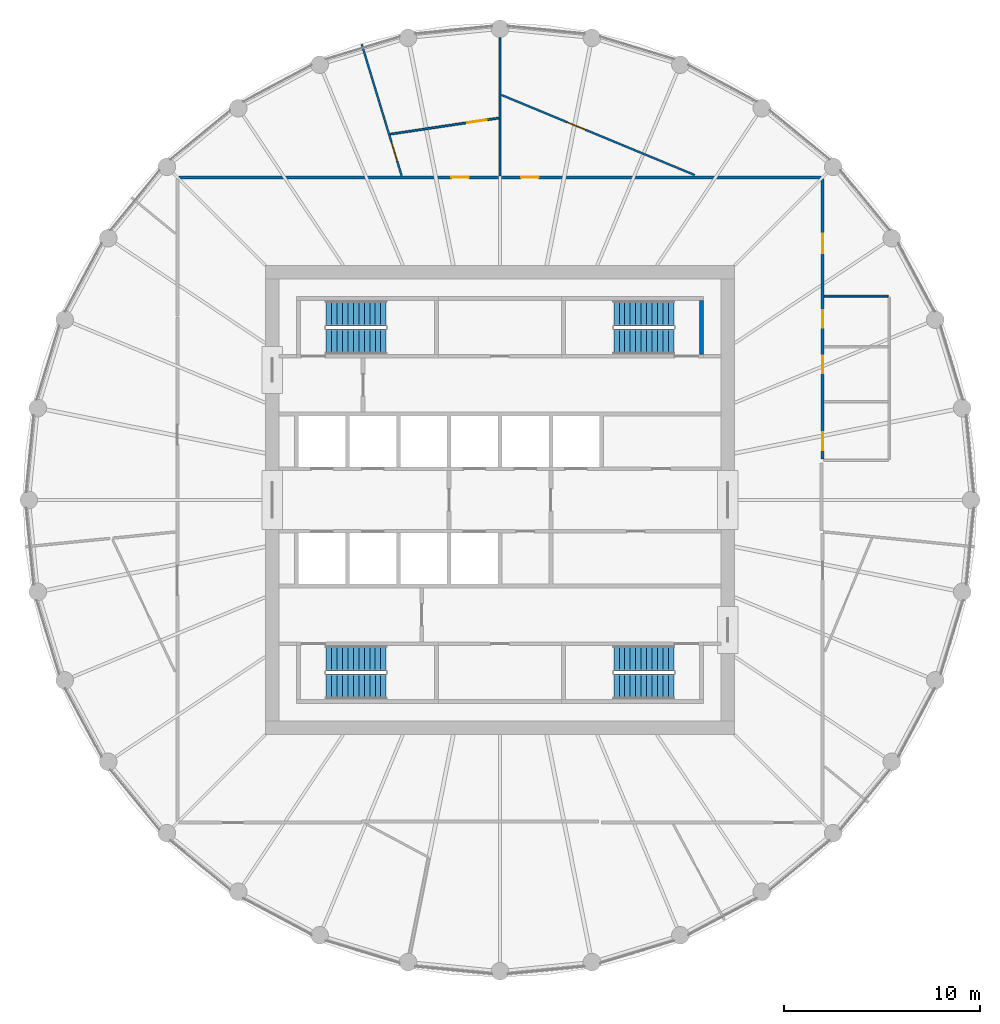
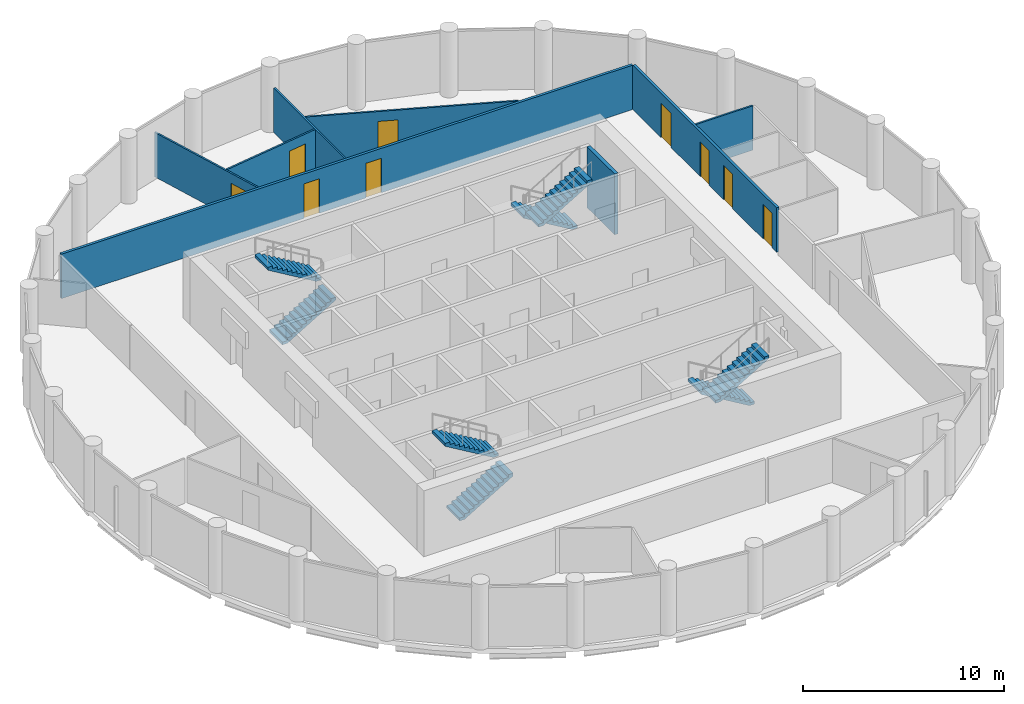
# One storey, part 6 of 7: 9 doors, 8 stair flights, 8 walls, 9 openings, 4 elements without a shape of their own.
"""IFC4 building model written with IfcOpenShell, lengths in metres."""

from ifc_helpers import new_model, si_unit, direction, frame, frame_2d, origin, place, context, subcontext, project, spatial, polyline, rectangle, outline, extrude, material, layer, layer_set, type_object, element, fill, aggregate, save


model = new_model("IFC4")

# Units and contexts
model_context = context("Model", 3, precision=1e-05, world=origin(), true_north=direction((0.0, 1.0)))
body_context = subcontext(model_context, "Body", "Model", "MODEL_VIEW")
ifc_project = project(units=[si_unit("LENGTHUNIT", "METRE"), si_unit("AREAUNIT", "SQUARE_METRE"), si_unit("VOLUMEUNIT", "CUBIC_METRE"), si_unit("PLANEANGLEUNIT", "RADIAN"), si_unit("MASSUNIT", "GRAM", prefix="KILO")], contexts=[model_context])

# Site, building, storey
site_placement = place(None, origin())
site = spatial("IfcSite", under=ifc_project, at=site_placement, CompositionType="ELEMENT")
building_placement = place(site_placement, origin())
building = spatial("IfcBuilding", under=site, at=building_placement, Name="Corvane Civic Tower", CompositionType="ELEMENT")
storey_placement = place(building_placement, frame((0.0, 0.0, 283.0)))
storey = spatial("IfcBuildingStorey", under=building, at=storey_placement, Name="L67", CompositionType="ELEMENT", Elevation=283.0)

# Walls
ifc_material_1 = material(Name="Plasterboard")
ifc_layer_1 = layer(ifc_material_1, 0.10009765625)
ifc_layer_set_1 = layer_set([ifc_layer_1], Name="Plasterboard")
wall_type_1 = type_object("IfcWallType", Name="Partition 100 plasterboard on studs", PredefinedType="PARTITIONING", material=ifc_layer_set_1)
wall_1_placement = place(storey_placement, frame((16.574951171875, 10.431396484375, 0.0), z_axis=(0.0, 0.0, 1.0), x_axis=(1.0, 0.0, 0.0)))
element("IfcWall", 1, at=wall_1_placement, inside=storey, type_object=wall_type_1, Name="Partition L67.022", PredefinedType="PARTITIONING", context=body_context, shape_type="SweptSolid", body=[
    extrude(rectangle(XDim=3.275146484375, YDim=0.10009765625, at=frame_2d((1.6376953125, 0.0))), origin(), (0.0, 0.0, 1.0), 2.699951171875),
])
wall_2_placement = place(storey_placement, frame((0.0, 16.574951171875, 0.0), z_axis=(0.0, 0.0, 1.0), x_axis=(0.0, 1.0, 0.0)))
element("IfcWall", 2, at=wall_2_placement, inside=storey, type_object=wall_type_1, Name="Partition L67.025", PredefinedType="PARTITIONING", context=body_context, shape_type="SweptSolid", body=[
    extrude(rectangle(XDim=7.065185546875, YDim=0.10009765625, at=frame_2d((3.53271484375, 0.0))), origin(), (0.0, 0.0, 1.0), 2.699951171875),
])

# Wall, opening, door
wall_3_placement = place(storey_placement, frame((-7.068603515625, 23.3017578125, 0.0), z_axis=(0.0, 0.0, 1.0), x_axis=(0.290287534013, -0.956939469139, 0.0)))
wall_3 = element("IfcWall", 3, at=wall_3_placement, inside=storey, type_object=wall_type_1, Name="Partition L67.026", PredefinedType="PARTITIONING", context=body_context, shape_type="SweptSolid", body=[
    extrude(rectangle(XDim=7.01416015625, YDim=0.10009765625, at=frame_2d((3.507080078125, 0.0))), origin(), (0.0, 0.0, 1.0), 2.699951171875),
])
opening_1_placement = place(wall_3_placement, frame((5.227783203125, 0.0, 0.0)))
opening_1 = element("IfcOpeningElement", 4, at=opening_1_placement, cuts=wall_3, Name="Opening L67.013", PredefinedType="OPENING", context=body_context, shape_type="SweptSolid", body=[
    extrude(rectangle(XDim=1.0, YDim=2.10009765625, at=frame_2d((0.5, 1.050048828125))), frame((0.0, 0.06005859375, 0.0), z_axis=(0.0, -1.0, 0.0), x_axis=(1.0, 0.0, 0.0)), (0.0, 0.0, 1.0), 0.1201171875),
])
ifc_material_2 = material(Name="Timber", Category="wood")
door_type_1 = type_object("IfcDoorType", Name="Single door 1000", OperationType="NOTDEFINED", PredefinedType="DOOR", material=ifc_material_2)
door_1_placement = place(opening_1_placement, frame((1.0, 0.0, 0.0), z_axis=(0.0, 0.0, 1.0), x_axis=(-1.0, 0.0, 0.0)))
door_1 = element("IfcDoor", 5, at=door_1_placement, inside=storey, type_object=door_type_1, Name="Door L67.013", OperationType="SINGLE_SWING_LEFT", OverallHeight=2.10009765625, OverallWidth=1.0, PredefinedType="DOOR", context=body_context, shape_type="SweptSolid", body=[
    extrude(rectangle(XDim=1.0, YDim=2.10009765625, at=frame_2d((0.5, 1.050048828125))), frame((0.0, 0.02490234375, 0.0), z_axis=(0.0, -1.0, 0.0), x_axis=(1.0, 0.0, 0.0)), (0.0, 0.0, 1.0), 0.050048828125),
])
fill(opening_1, door_1)

wall_4_placement = place(storey_placement, frame((0.069091796875, 20.71728515625, 0.0), z_axis=(0.0, 0.0, 1.0), x_axis=(0.923877277296, -0.382688876891, 0.0)))
wall_4 = element("IfcWall", 6, at=wall_4_placement, inside=storey, type_object=wall_type_1, Name="Partition L67.027", PredefinedType="PARTITIONING", context=body_context, shape_type="SweptSolid", body=[
    extrude(rectangle(XDim=10.70361328125, YDim=0.10009765625, at=frame_2d((5.351806640625, 0.0))), origin(), (0.0, 0.0, 1.0), 2.699951171875),
])
opening_2_placement = place(wall_4_placement, frame((3.651123046875, 0.0, 0.0)))
opening_2 = element("IfcOpeningElement", 7, at=opening_2_placement, cuts=wall_4, Name="Opening L67.016", PredefinedType="OPENING", context=body_context, shape_type="SweptSolid", body=[
    extrude(rectangle(XDim=1.0, YDim=2.10009765625, at=frame_2d((0.5, 1.050048828125))), frame((0.0, 0.06005859375, 0.0), z_axis=(0.0, -1.0, 0.0), x_axis=(1.0, 0.0, 0.0)), (0.0, 0.0, 1.0), 0.1201171875),
])
door_2_placement = place(opening_2_placement, origin())
door_2 = element("IfcDoor", 8, at=door_2_placement, inside=storey, type_object=door_type_1, Name="Door L67.016", OperationType="SINGLE_SWING_LEFT", OverallHeight=2.10009765625, OverallWidth=1.0, PredefinedType="DOOR", context=body_context, shape_type="SweptSolid", body=[
    extrude(rectangle(XDim=1.0, YDim=2.10009765625, at=frame_2d((0.5, 1.050048828125))), frame((0.0, 0.02490234375, 0.0), z_axis=(0.0, -1.0, 0.0), x_axis=(1.0, 0.0, 0.0)), (0.0, 0.0, 1.0), 0.050048828125),
])
fill(opening_2, door_2)

wall_5_placement = place(storey_placement, frame((-5.6162109375, 18.711181640625, 0.0), z_axis=(0.0, 0.0, 1.0), x_axis=(0.989173117951, 0.146753339736, 0.0)))
wall_5 = element("IfcWall", 9, at=wall_5_placement, inside=storey, type_object=wall_type_1, Name="Partition L67.028", PredefinedType="PARTITIONING", context=body_context, shape_type="SweptSolid", body=[
    extrude(rectangle(XDim=5.61962890625, YDim=0.10009765625, at=frame_2d((2.809814453125, 0.0))), origin(), (0.0, 0.0, 1.0), 2.699951171875),
])
opening_3_placement = place(wall_5_placement, frame((3.976318359375, 0.0, 0.0)))
opening_3 = element("IfcOpeningElement", 10, at=opening_3_placement, cuts=wall_5, Name="Opening L67.014", PredefinedType="OPENING", context=body_context, shape_type="SweptSolid", body=[
    extrude(rectangle(XDim=1.0, YDim=2.10009765625, at=frame_2d((0.5, 1.050048828125))), frame((0.0, 0.06005859375, 0.0), z_axis=(0.0, -1.0, 0.0), x_axis=(1.0, 0.0, 0.0)), (0.0, 0.0, 1.0), 0.1201171875),
])
door_3_placement = place(opening_3_placement, origin())
door_3 = element("IfcDoor", 11, at=door_3_placement, inside=storey, type_object=door_type_1, Name="Door L67.014", OperationType="SINGLE_SWING_RIGHT", OverallHeight=2.10009765625, OverallWidth=1.0, PredefinedType="DOOR", context=body_context, shape_type="SweptSolid", body=[
    extrude(rectangle(XDim=1.0, YDim=2.10009765625, at=frame_2d((0.5, 1.050048828125))), frame((0.0, 0.02490234375, 0.0), z_axis=(0.0, -1.0, 0.0), x_axis=(1.0, 0.0, 0.0)), (0.0, 0.0, 1.0), 0.050048828125),
])
fill(opening_3, door_3)

# Wall
ifc_material_3 = material(Name="Concrete C50/60", Category="concrete")
ifc_layer_2 = layer(ifc_material_3, 0.199951171875)
ifc_layer_set_2 = layer_set([ifc_layer_2], Name="Concrete C50/60")
wall_type_2 = type_object("IfcWallType", Name="ST-WALL-200", PredefinedType="SHEAR", material=ifc_layer_set_2)
wall_6_placement = place(storey_placement, origin())
element("IfcWall", 12, at=wall_6_placement, inside=storey, type_object=wall_type_2, Name="L67 stair enclosure wall", PredefinedType="SHEAR", context=body_context, shape_type="SweptSolid", body=[
    extrude(outline(polyline([(10.39990234375, 7.449951171875), (10.199951171875, 7.449951171875), (10.199951171875, 10.199951171875), (10.39990234375, 10.199951171875), (10.39990234375, 7.449951171875)])), origin(), (0.0, 0.0, 1.0), 3.699951171875),
])

# Wall, openings, doors
ifc_material_4 = material(Name="Plasterboard")
ifc_layer_3 = layer(ifc_material_4, 0.14990234375)
ifc_layer_set_3 = layer_set([ifc_layer_3], Name="Plasterboard")
wall_type_3 = type_object("IfcWallType", Name="Tenancy wall 150 EI 60", PredefinedType="PARTITIONING", material=ifc_layer_set_3)
wall_7_placement = place(storey_placement, frame((16.5, 2.1064453125, 0.0), z_axis=(0.0, 0.0, 1.0), x_axis=(0.0, 1.0, 0.0)))
wall_7 = element("IfcWall", 13, at=wall_7_placement, inside=storey, type_object=wall_type_3, Name="Partition L67.018", PredefinedType="PARTITIONING", context=body_context, shape_type="SweptSolid", body=[
    extrude(rectangle(XDim=14.318603515625, YDim=0.14990234375, at=frame_2d((7.1591796875, 0.0))), origin(), (0.0, 0.0, 1.0), 2.699951171875),
])
opening_4_placement = place(wall_7_placement, frame((10.5234375, 0.0, 0.0)))
opening_4 = element("IfcOpeningElement", 14, at=opening_4_placement, cuts=wall_7, Name="Opening L67.001", PredefinedType="OPENING", context=body_context, shape_type="SweptSolid", body=[
    extrude(rectangle(XDim=1.0, YDim=2.10009765625, at=frame_2d((0.5, 1.050048828125))), frame((0.0, 0.0849609375, 0.0), z_axis=(0.0, -1.0, 0.0), x_axis=(1.0, 0.0, 0.0)), (0.0, 0.0, 1.0), 0.169921875),
])
opening_5_placement = place(wall_7_placement, frame((0.45068359375, 0.0, 0.0)))
opening_5 = element("IfcOpeningElement", 15, at=opening_5_placement, cuts=wall_7, Name="Opening L67.002", PredefinedType="OPENING", context=body_context, shape_type="SweptSolid", body=[
    extrude(rectangle(XDim=0.89990234375, YDim=2.10009765625, at=frame_2d((0.449951171875, 1.050048828125))), frame((0.0, 0.0849609375, 0.0), z_axis=(0.0, -1.0, 0.0), x_axis=(1.0, 0.0, 0.0)), (0.0, 0.0, 1.0), 0.169921875),
])
opening_6_placement = place(wall_7_placement, frame((4.3818359375, 0.0, 0.0)))
opening_6 = element("IfcOpeningElement", 16, at=opening_6_placement, cuts=wall_7, Name="Opening L67.003", PredefinedType="OPENING", context=body_context, shape_type="SweptSolid", body=[
    extrude(rectangle(XDim=0.89990234375, YDim=2.10009765625, at=frame_2d((0.449951171875, 1.050048828125))), frame((0.0, 0.0849609375, 0.0), z_axis=(0.0, -1.0, 0.0), x_axis=(1.0, 0.0, 0.0)), (0.0, 0.0, 1.0), 0.169921875),
])
opening_7_placement = place(wall_7_placement, frame((6.70166015625, 0.0, 0.0)))
opening_7 = element("IfcOpeningElement", 17, at=opening_7_placement, cuts=wall_7, Name="Opening L67.004", PredefinedType="OPENING", context=body_context, shape_type="SweptSolid", body=[
    extrude(rectangle(XDim=0.89990234375, YDim=2.10009765625, at=frame_2d((0.449951171875, 1.050048828125))), frame((0.0, 0.0849609375, 0.0), z_axis=(0.0, -1.0, 0.0), x_axis=(1.0, 0.0, 0.0)), (0.0, 0.0, 1.0), 0.169921875),
])
ifc_material_5 = material(Name="Steel and timber", Category="steel")
door_type_2 = type_object("IfcDoorType", Name="Fire door FD30S 1000", OperationType="NOTDEFINED", PredefinedType="DOOR", material=ifc_material_5)
door_4_placement = place(opening_4_placement, frame((1.0, 0.0, 0.0), z_axis=(0.0, 0.0, 1.0), x_axis=(-1.0, 0.0, 0.0)))
door_4 = element("IfcDoor", 18, at=door_4_placement, inside=storey, type_object=door_type_2, Name="Door L67.001", OperationType="SINGLE_SWING_LEFT", OverallHeight=2.10009765625, OverallWidth=1.0, PredefinedType="DOOR", context=body_context, shape_type="SweptSolid", body=[
    extrude(rectangle(XDim=1.0, YDim=2.10009765625, at=frame_2d((0.5, 1.050048828125))), frame((0.0, 0.02490234375, 0.0), z_axis=(0.0, -1.0, 0.0), x_axis=(1.0, 0.0, 0.0)), (0.0, 0.0, 1.0), 0.050048828125),
])
fill(opening_4, door_4)
ifc_material_6 = material(Name="Steel and timber", Category="steel")
door_type_3 = type_object("IfcDoorType", Name="Fire door FD30S 900", OperationType="NOTDEFINED", PredefinedType="DOOR", material=ifc_material_6)
door_5_placement = place(opening_5_placement, frame((0.89990234375, 0.0, 0.0), z_axis=(0.0, 0.0, 1.0), x_axis=(-1.0, 0.0, 0.0)))
door_5 = element("IfcDoor", 19, at=door_5_placement, inside=storey, type_object=door_type_3, Name="Door L67.002", OperationType="SINGLE_SWING_RIGHT", OverallHeight=2.10009765625, OverallWidth=0.89990234375, PredefinedType="DOOR", context=body_context, shape_type="SweptSolid", body=[
    extrude(rectangle(XDim=0.89990234375, YDim=2.10009765625, at=frame_2d((0.449951171875, 1.050048828125))), frame((0.0, 0.02490234375, 0.0), z_axis=(0.0, -1.0, 0.0), x_axis=(1.0, 0.0, 0.0)), (0.0, 0.0, 1.0), 0.050048828125),
])
fill(opening_5, door_5)
door_6_placement = place(opening_6_placement, frame((0.89990234375, 0.0, 0.0), z_axis=(0.0, 0.0, 1.0), x_axis=(-1.0, 0.0, 0.0)))
door_6 = element("IfcDoor", 20, at=door_6_placement, inside=storey, type_object=door_type_3, Name="Door L67.003", OperationType="SINGLE_SWING_LEFT", OverallHeight=2.10009765625, OverallWidth=0.89990234375, PredefinedType="DOOR", context=body_context, shape_type="SweptSolid", body=[
    extrude(rectangle(XDim=0.89990234375, YDim=2.10009765625, at=frame_2d((0.449951171875, 1.050048828125))), frame((0.0, 0.02490234375, 0.0), z_axis=(0.0, -1.0, 0.0), x_axis=(1.0, 0.0, 0.0)), (0.0, 0.0, 1.0), 0.050048828125),
])
fill(opening_6, door_6)
door_7_placement = place(opening_7_placement, frame((0.89990234375, 0.0, 0.0), z_axis=(0.0, 0.0, 1.0), x_axis=(-1.0, 0.0, 0.0)))
door_7 = element("IfcDoor", 21, at=door_7_placement, inside=storey, type_object=door_type_3, Name="Door L67.004", OperationType="SINGLE_SWING_LEFT", OverallHeight=2.10009765625, OverallWidth=0.89990234375, PredefinedType="DOOR", context=body_context, shape_type="SweptSolid", body=[
    extrude(rectangle(XDim=0.89990234375, YDim=2.10009765625, at=frame_2d((0.449951171875, 1.050048828125))), frame((0.0, 0.02490234375, 0.0), z_axis=(0.0, -1.0, 0.0), x_axis=(1.0, 0.0, 0.0)), (0.0, 0.0, 1.0), 0.050048828125),
])
fill(opening_7, door_7)

wall_8_placement = place(storey_placement, frame((-16.425048828125, 16.5, 0.0), z_axis=(0.0, 0.0, 1.0), x_axis=(1.0, 0.0, 0.0)))
wall_8 = element("IfcWall", 22, at=wall_8_placement, inside=storey, type_object=wall_type_3, Name="Partition L67.024", PredefinedType="PARTITIONING", context=body_context, shape_type="SweptSolid", body=[
    extrude(rectangle(XDim=32.85009765625, YDim=0.14990234375, at=frame_2d((16.425048828125, 0.0))), origin(), (0.0, 0.0, 1.0), 2.699951171875),
])
opening_8_placement = place(wall_8_placement, frame((13.9375, 0.0, 0.0)))
opening_8 = element("IfcOpeningElement", 23, at=opening_8_placement, cuts=wall_8, Name="Opening L67.015", PredefinedType="OPENING", context=body_context, shape_type="SweptSolid", body=[
    extrude(rectangle(XDim=0.89990234375, YDim=2.10009765625, at=frame_2d((0.449951171875, 1.050048828125))), frame((0.0, 0.0849609375, 0.0), z_axis=(0.0, -1.0, 0.0), x_axis=(1.0, 0.0, 0.0)), (0.0, 0.0, 1.0), 0.169921875),
])
opening_9_placement = place(wall_8_placement, frame((17.50390625, 0.0, 0.0)))
opening_9 = element("IfcOpeningElement", 24, at=opening_9_placement, cuts=wall_8, Name="Opening L67.017", PredefinedType="OPENING", context=body_context, shape_type="SweptSolid", body=[
    extrude(rectangle(XDim=0.89990234375, YDim=2.10009765625, at=frame_2d((0.449951171875, 1.050048828125))), frame((0.0, 0.0849609375, 0.0), z_axis=(0.0, -1.0, 0.0), x_axis=(1.0, 0.0, 0.0)), (0.0, 0.0, 1.0), 0.169921875),
])
door_8_placement = place(opening_8_placement, origin())
door_8 = element("IfcDoor", 25, at=door_8_placement, inside=storey, type_object=door_type_3, Name="Door L67.015", OperationType="SINGLE_SWING_LEFT", OverallHeight=2.10009765625, OverallWidth=0.89990234375, PredefinedType="DOOR", context=body_context, shape_type="SweptSolid", body=[
    extrude(rectangle(XDim=0.89990234375, YDim=2.10009765625, at=frame_2d((0.449951171875, 1.050048828125))), frame((0.0, 0.02490234375, 0.0), z_axis=(0.0, -1.0, 0.0), x_axis=(1.0, 0.0, 0.0)), (0.0, 0.0, 1.0), 0.050048828125),
])
fill(opening_8, door_8)
door_9_placement = place(opening_9_placement, origin())
door_9 = element("IfcDoor", 26, at=door_9_placement, inside=storey, type_object=door_type_3, Name="Door L67.017", OperationType="SINGLE_SWING_RIGHT", OverallHeight=2.10009765625, OverallWidth=0.89990234375, PredefinedType="DOOR", context=body_context, shape_type="SweptSolid", body=[
    extrude(rectangle(XDim=0.89990234375, YDim=2.10009765625, at=frame_2d((0.449951171875, 1.050048828125))), frame((0.0, 0.02490234375, 0.0), z_axis=(0.0, -1.0, 0.0), x_axis=(1.0, 0.0, 0.0)), (0.0, 0.0, 1.0), 0.050048828125),
])
fill(opening_9, door_9)

# Stair, stair flights
ifc_material_7 = material(Name="Concrete C40/50", Category="concrete")
stair_type = type_object("IfcStairType", Name="ST-STAIR-HALFTURN", PredefinedType="HALF_TURN_STAIR", material=ifc_material_7)
stair_1_placement = place(storey_placement, origin())
stair_1 = element("IfcStair", 27, at=stair_1_placement, inside=storey, type_object=stair_type, Name="L67 Exit stair ST1", PredefinedType="HALF_TURN_STAIR")
ifc_material_8 = material(Name="Concrete C40/50", Category="concrete")
stair_flight_type = type_object("IfcStairFlightType", Name="ST-FLIGHT-RC", PredefinedType="STRAIGHT", material=ifc_material_8)
stair_flight_1_placement = place(storey_placement, frame((8.89990234375, 9.550048828125, 0.0), z_axis=(0.0, 0.0, 1.0), x_axis=(-1.0, 0.0, 0.0)))
stair_flight_1 = element("IfcStairFlight", 28, at=stair_flight_1_placement, type_object=stair_flight_type, Name="ST1 flight 1", NumberOfRisers=12, NumberOfTreads=11, PredefinedType="STRAIGHT", RiserHeight=0.166666667, TreadLength=0.28, context=body_context, shape_type="SweptSolid", body=[
    extrude(outline(polyline([(0.0, 0.0), (0.0, 0.166748046875), (0.280029296875, 0.166748046875), (0.280029296875, 0.333251953125), (0.56005859375, 0.333251953125), (0.56005859375, 0.5), (0.840087890625, 0.5), (0.840087890625, 0.666748046875), (1.1201171875, 0.666748046875), (1.1201171875, 0.833251953125), (1.39990234375, 0.833251953125), (1.39990234375, 1.0), (1.679931640625, 1.0), (1.679931640625, 1.166748046875), (1.9599609375, 1.166748046875), (1.9599609375, 1.333251953125), (2.239990234375, 1.333251953125), (2.239990234375, 1.5), (2.52001953125, 1.5), (2.52001953125, 1.666748046875), (2.800048828125, 1.666748046875), (2.800048828125, 1.833251953125), (3.080078125, 1.833251953125), (3.080078125, 2.0), (3.080078125, 1.658935546875), (0.29296875, 0.0), (0.0, 0.0)])), frame((0.0, 0.64990234375, 0.0), z_axis=(0.0, -1.0, 0.0), x_axis=(1.0, 0.0, 0.0)), (0.0, 0.0, 1.0), 1.300048828125),
])
stair_flight_2_placement = place(storey_placement, frame((5.820068359375, 8.10009765625, 2.0), z_axis=(0.0, 0.0, 1.0), x_axis=(1.0, 0.0, 0.0)))
stair_flight_2 = element("IfcStairFlight", 29, at=stair_flight_2_placement, type_object=stair_flight_type, Name="ST1 flight 2", NumberOfRisers=12, NumberOfTreads=11, PredefinedType="STRAIGHT", RiserHeight=0.166666667, TreadLength=0.28, context=body_context, shape_type="SweptSolid", body=[
    extrude(outline(polyline([(0.0, 0.0), (0.0, 0.166748046875), (0.280029296875, 0.166748046875), (0.280029296875, 0.333251953125), (0.56005859375, 0.333251953125), (0.56005859375, 0.5), (0.840087890625, 0.5), (0.840087890625, 0.666748046875), (1.1201171875, 0.666748046875), (1.1201171875, 0.833251953125), (1.39990234375, 0.833251953125), (1.39990234375, 1.0), (1.679931640625, 1.0), (1.679931640625, 1.166748046875), (1.9599609375, 1.166748046875), (1.9599609375, 1.333251953125), (2.239990234375, 1.333251953125), (2.239990234375, 1.5), (2.52001953125, 1.5), (2.52001953125, 1.666748046875), (2.800048828125, 1.666748046875), (2.800048828125, 1.833251953125), (3.080078125, 1.833251953125), (3.080078125, 2.0), (3.080078125, 1.658935546875), (0.29296875, 0.0), (0.0, 0.0)])), frame((0.0, 0.64990234375, 0.0), z_axis=(0.0, -1.0, 0.0), x_axis=(1.0, 0.0, 0.0)), (0.0, 0.0, 1.0), 1.300048828125),
])
aggregate(stair_1, [stair_flight_1, stair_flight_2])

stair_2_placement = place(storey_placement, origin())
stair_2 = element("IfcStair", 30, at=stair_2_placement, inside=storey, type_object=stair_type, Name="L67 Exit stair ST2", PredefinedType="HALF_TURN_STAIR")
stair_flight_3_placement = place(storey_placement, frame((8.89990234375, -8.10009765625, 0.0), z_axis=(0.0, 0.0, 1.0), x_axis=(-1.0, 0.0, 0.0)))
stair_flight_3 = element("IfcStairFlight", 31, at=stair_flight_3_placement, type_object=stair_flight_type, Name="ST2 flight 1", NumberOfRisers=12, NumberOfTreads=11, PredefinedType="STRAIGHT", RiserHeight=0.166666667, TreadLength=0.28, context=body_context, shape_type="SweptSolid", body=[
    extrude(outline(polyline([(0.0, 0.0), (0.0, 0.166748046875), (0.280029296875, 0.166748046875), (0.280029296875, 0.333251953125), (0.56005859375, 0.333251953125), (0.56005859375, 0.5), (0.840087890625, 0.5), (0.840087890625, 0.666748046875), (1.1201171875, 0.666748046875), (1.1201171875, 0.833251953125), (1.39990234375, 0.833251953125), (1.39990234375, 1.0), (1.679931640625, 1.0), (1.679931640625, 1.166748046875), (1.9599609375, 1.166748046875), (1.9599609375, 1.333251953125), (2.239990234375, 1.333251953125), (2.239990234375, 1.5), (2.52001953125, 1.5), (2.52001953125, 1.666748046875), (2.800048828125, 1.666748046875), (2.800048828125, 1.833251953125), (3.080078125, 1.833251953125), (3.080078125, 2.0), (3.080078125, 1.658935546875), (0.29296875, 0.0), (0.0, 0.0)])), frame((0.0, 0.64990234375, 0.0), z_axis=(0.0, -1.0, 0.0), x_axis=(1.0, 0.0, 0.0)), (0.0, 0.0, 1.0), 1.300048828125),
])
stair_flight_4_placement = place(storey_placement, frame((5.820068359375, -9.550048828125, 2.0), z_axis=(0.0, 0.0, 1.0), x_axis=(1.0, 0.0, 0.0)))
stair_flight_4 = element("IfcStairFlight", 32, at=stair_flight_4_placement, type_object=stair_flight_type, Name="ST2 flight 2", NumberOfRisers=12, NumberOfTreads=11, PredefinedType="STRAIGHT", RiserHeight=0.166666667, TreadLength=0.28, context=body_context, shape_type="SweptSolid", body=[
    extrude(outline(polyline([(0.0, 0.0), (0.0, 0.166748046875), (0.280029296875, 0.166748046875), (0.280029296875, 0.333251953125), (0.56005859375, 0.333251953125), (0.56005859375, 0.5), (0.840087890625, 0.5), (0.840087890625, 0.666748046875), (1.1201171875, 0.666748046875), (1.1201171875, 0.833251953125), (1.39990234375, 0.833251953125), (1.39990234375, 1.0), (1.679931640625, 1.0), (1.679931640625, 1.166748046875), (1.9599609375, 1.166748046875), (1.9599609375, 1.333251953125), (2.239990234375, 1.333251953125), (2.239990234375, 1.5), (2.52001953125, 1.5), (2.52001953125, 1.666748046875), (2.800048828125, 1.666748046875), (2.800048828125, 1.833251953125), (3.080078125, 1.833251953125), (3.080078125, 2.0), (3.080078125, 1.658935546875), (0.29296875, 0.0), (0.0, 0.0)])), frame((0.0, 0.64990234375, 0.0), z_axis=(0.0, -1.0, 0.0), x_axis=(1.0, 0.0, 0.0)), (0.0, 0.0, 1.0), 1.300048828125),
])
aggregate(stair_2, [stair_flight_3, stair_flight_4])

stair_3_placement = place(storey_placement, origin())
stair_3 = element("IfcStair", 33, at=stair_3_placement, inside=storey, type_object=stair_type, Name="L67 Exit stair ST3", PredefinedType="HALF_TURN_STAIR")
stair_flight_5_placement = place(storey_placement, frame((-8.89990234375, -9.550048828125, 0.0), z_axis=(0.0, 0.0, 1.0), x_axis=(1.0, 0.0, 0.0)))
stair_flight_5 = element("IfcStairFlight", 34, at=stair_flight_5_placement, type_object=stair_flight_type, Name="ST3 flight 1", NumberOfRisers=12, NumberOfTreads=11, PredefinedType="STRAIGHT", RiserHeight=0.166666667, TreadLength=0.28, context=body_context, shape_type="SweptSolid", body=[
    extrude(outline(polyline([(0.0, 0.0), (0.0, 0.166748046875), (0.280029296875, 0.166748046875), (0.280029296875, 0.333251953125), (0.56005859375, 0.333251953125), (0.56005859375, 0.5), (0.840087890625, 0.5), (0.840087890625, 0.666748046875), (1.1201171875, 0.666748046875), (1.1201171875, 0.833251953125), (1.39990234375, 0.833251953125), (1.39990234375, 1.0), (1.679931640625, 1.0), (1.679931640625, 1.166748046875), (1.9599609375, 1.166748046875), (1.9599609375, 1.333251953125), (2.239990234375, 1.333251953125), (2.239990234375, 1.5), (2.52001953125, 1.5), (2.52001953125, 1.666748046875), (2.800048828125, 1.666748046875), (2.800048828125, 1.833251953125), (3.080078125, 1.833251953125), (3.080078125, 2.0), (3.080078125, 1.658935546875), (0.29296875, 0.0), (0.0, 0.0)])), frame((0.0, 0.64990234375, 0.0), z_axis=(0.0, -1.0, 0.0), x_axis=(1.0, 0.0, 0.0)), (0.0, 0.0, 1.0), 1.300048828125),
])
stair_flight_6_placement = place(storey_placement, frame((-5.820068359375, -8.10009765625, 2.0), z_axis=(0.0, 0.0, 1.0), x_axis=(-1.0, 0.0, 0.0)))
stair_flight_6 = element("IfcStairFlight", 35, at=stair_flight_6_placement, type_object=stair_flight_type, Name="ST3 flight 2", NumberOfRisers=12, NumberOfTreads=11, PredefinedType="STRAIGHT", RiserHeight=0.166666667, TreadLength=0.28, context=body_context, shape_type="SweptSolid", body=[
    extrude(outline(polyline([(0.0, 0.0), (0.0, 0.166748046875), (0.280029296875, 0.166748046875), (0.280029296875, 0.333251953125), (0.56005859375, 0.333251953125), (0.56005859375, 0.5), (0.840087890625, 0.5), (0.840087890625, 0.666748046875), (1.1201171875, 0.666748046875), (1.1201171875, 0.833251953125), (1.39990234375, 0.833251953125), (1.39990234375, 1.0), (1.679931640625, 1.0), (1.679931640625, 1.166748046875), (1.9599609375, 1.166748046875), (1.9599609375, 1.333251953125), (2.239990234375, 1.333251953125), (2.239990234375, 1.5), (2.52001953125, 1.5), (2.52001953125, 1.666748046875), (2.800048828125, 1.666748046875), (2.800048828125, 1.833251953125), (3.080078125, 1.833251953125), (3.080078125, 2.0), (3.080078125, 1.658935546875), (0.29296875, 0.0), (0.0, 0.0)])), frame((0.0, 0.64990234375, 0.0), z_axis=(0.0, -1.0, 0.0), x_axis=(1.0, 0.0, 0.0)), (0.0, 0.0, 1.0), 1.300048828125),
])
aggregate(stair_3, [stair_flight_5, stair_flight_6])

stair_4_placement = place(storey_placement, origin())
stair_4 = element("IfcStair", 36, at=stair_4_placement, inside=storey, type_object=stair_type, Name="L67 Exit stair ST4", PredefinedType="HALF_TURN_STAIR")
stair_flight_7_placement = place(storey_placement, frame((-8.89990234375, 8.10009765625, 0.0), z_axis=(0.0, 0.0, 1.0), x_axis=(1.0, 0.0, 0.0)))
stair_flight_7 = element("IfcStairFlight", 37, at=stair_flight_7_placement, type_object=stair_flight_type, Name="ST4 flight 1", NumberOfRisers=12, NumberOfTreads=11, PredefinedType="STRAIGHT", RiserHeight=0.166666667, TreadLength=0.28, context=body_context, shape_type="SweptSolid", body=[
    extrude(outline(polyline([(0.0, 0.0), (0.0, 0.166748046875), (0.280029296875, 0.166748046875), (0.280029296875, 0.333251953125), (0.56005859375, 0.333251953125), (0.56005859375, 0.5), (0.840087890625, 0.5), (0.840087890625, 0.666748046875), (1.1201171875, 0.666748046875), (1.1201171875, 0.833251953125), (1.39990234375, 0.833251953125), (1.39990234375, 1.0), (1.679931640625, 1.0), (1.679931640625, 1.166748046875), (1.9599609375, 1.166748046875), (1.9599609375, 1.333251953125), (2.239990234375, 1.333251953125), (2.239990234375, 1.5), (2.52001953125, 1.5), (2.52001953125, 1.666748046875), (2.800048828125, 1.666748046875), (2.800048828125, 1.833251953125), (3.080078125, 1.833251953125), (3.080078125, 2.0), (3.080078125, 1.658935546875), (0.29296875, 0.0), (0.0, 0.0)])), frame((0.0, 0.64990234375, 0.0), z_axis=(0.0, -1.0, 0.0), x_axis=(1.0, 0.0, 0.0)), (0.0, 0.0, 1.0), 1.300048828125),
])
stair_flight_8_placement = place(storey_placement, frame((-5.820068359375, 9.550048828125, 2.0), z_axis=(0.0, 0.0, 1.0), x_axis=(-1.0, 0.0, 0.0)))
stair_flight_8 = element("IfcStairFlight", 38, at=stair_flight_8_placement, type_object=stair_flight_type, Name="ST4 flight 2", NumberOfRisers=12, NumberOfTreads=11, PredefinedType="STRAIGHT", RiserHeight=0.166666667, TreadLength=0.28, context=body_context, shape_type="SweptSolid", body=[
    extrude(outline(polyline([(0.0, 0.0), (0.0, 0.166748046875), (0.280029296875, 0.166748046875), (0.280029296875, 0.333251953125), (0.56005859375, 0.333251953125), (0.56005859375, 0.5), (0.840087890625, 0.5), (0.840087890625, 0.666748046875), (1.1201171875, 0.666748046875), (1.1201171875, 0.833251953125), (1.39990234375, 0.833251953125), (1.39990234375, 1.0), (1.679931640625, 1.0), (1.679931640625, 1.166748046875), (1.9599609375, 1.166748046875), (1.9599609375, 1.333251953125), (2.239990234375, 1.333251953125), (2.239990234375, 1.5), (2.52001953125, 1.5), (2.52001953125, 1.666748046875), (2.800048828125, 1.666748046875), (2.800048828125, 1.833251953125), (3.080078125, 1.833251953125), (3.080078125, 2.0), (3.080078125, 1.658935546875), (0.29296875, 0.0), (0.0, 0.0)])), frame((0.0, 0.64990234375, 0.0), z_axis=(0.0, -1.0, 0.0), x_axis=(1.0, 0.0, 0.0)), (0.0, 0.0, 1.0), 1.300048828125),
])
aggregate(stair_4, [stair_flight_7, stair_flight_8])

save(model, "model.ifc")
